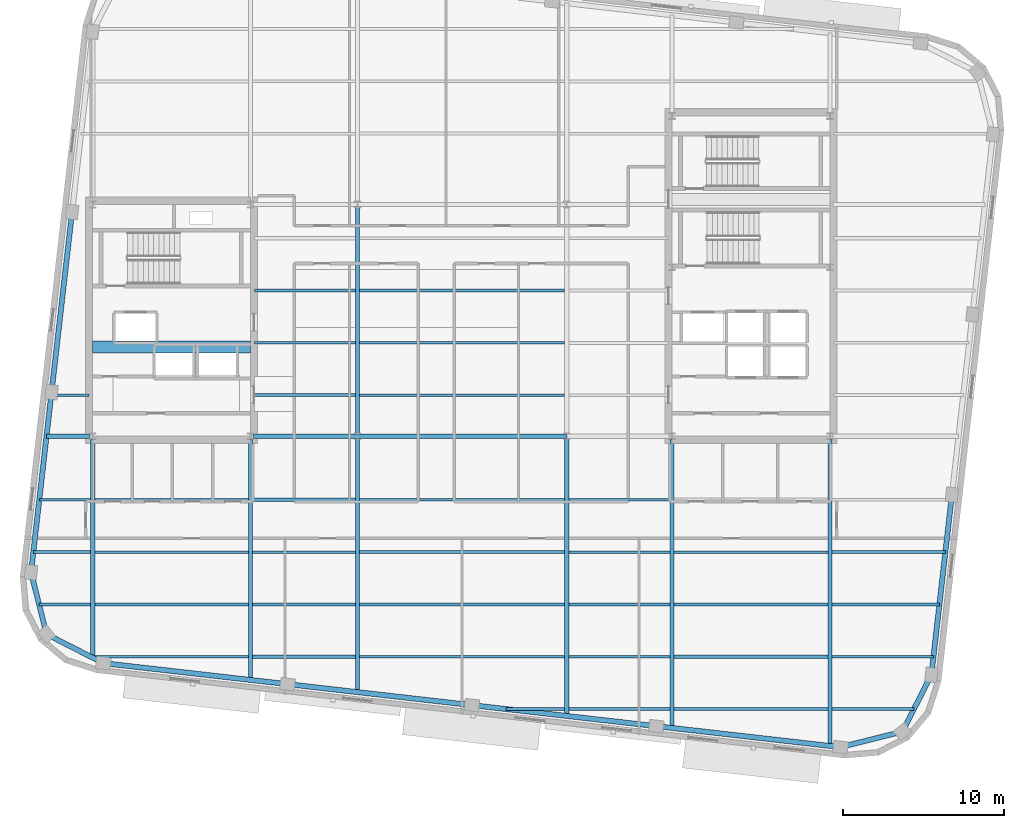
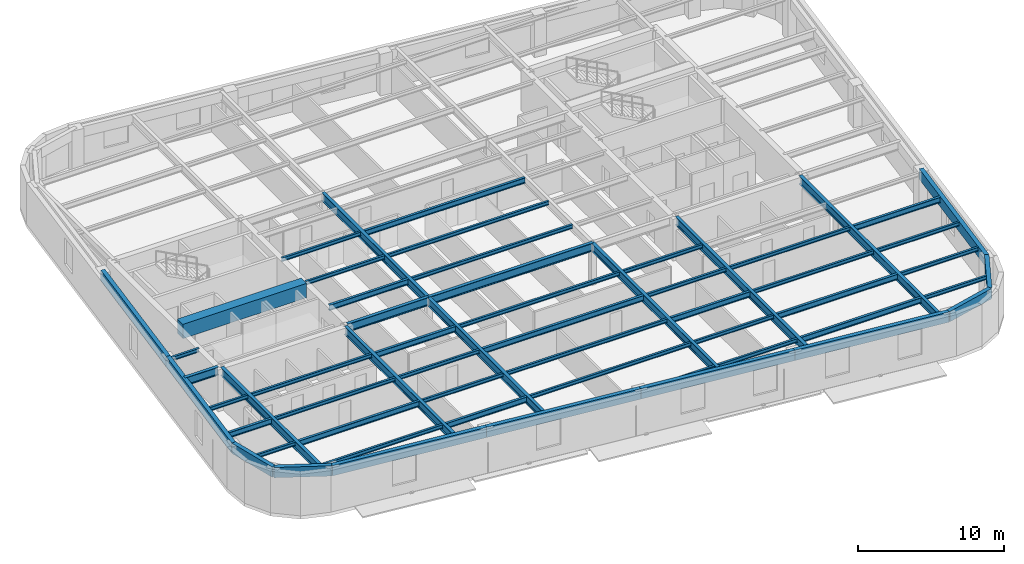
# One storey, part 3 of 13: 58 beams.
"""IFC4 building model written with IfcOpenShell, lengths in metres."""

import ifcopenshell
import ifcopenshell.guid

model = None  # the IFC model being written
_history = None  # IfcOwnerHistory: only IFC2X3 demands one
_inside = {}  # id of a spatial element -> (the spatial element, [elements in it])
_under = {}  # id of a project, library or spatial element -> (it, [spatial elements below it])
_declared = {}  # id of a project -> (the project, [libraries it declares])
_typed = {}  # id of a type object -> (the type object, [elements of that type])
_made_of = {}  # id of a material, layer set ... -> (it, [elements and type objects made of it])


def new_model(schema):
    """Start an empty IFC model of exactly this schema.

    Asked for "IFC4X3", IfcOpenShell would pick the latest addendum, in which some entities
    have other attributes; the version numbers below select the first issue.
    IFC2X3 requires an IfcOwnerHistory on every rooted entity: one is made here for all.
    """
    global model, _history
    if schema == "IFC4X3":
        model = ifcopenshell.file(schema_version=(4, 3, 0, 0))
    else:
        model = ifcopenshell.file(schema=schema)
    _inside.clear()
    _under.clear()
    _declared.clear()
    _typed.clear()
    _made_of.clear()
    _history = None
    if model.schema == "IFC2X3":
        org = make("IfcOrganization", Name="unknown")
        user = make(
            "IfcPersonAndOrganization",
            ThePerson=make("IfcPerson", FamilyName="unknown"),
            TheOrganization=org,
        )
        app = make(
            "IfcApplication",
            ApplicationDeveloper=org,
            Version="unknown",
            ApplicationFullName="unknown",
            ApplicationIdentifier="unknown",
        )
        _history = make(
            "IfcOwnerHistory",
            OwningUser=user,
            OwningApplication=app,
            ChangeAction="ADDED",
            CreationDate=0,
        )
    return model


def make(cls, **values):
    """One entity of the class cls with the attributes given. An attribute that is None is left unset."""
    return model.create_entity(
        cls, **{name: value for name, value in values.items() if value is not None}
    )


def rooted(cls, **values):
    """An entity with a GlobalId (a new one), such as an element, a storey or a relation."""
    return make(cls, GlobalId=ifcopenshell.guid.new(), OwnerHistory=_history, **values)


def si_unit(unit_type, name, prefix=None):
    """IfcSIUnit, for example si_unit("LENGTHUNIT", "METRE", prefix="MILLI")."""
    return make("IfcSIUnit", UnitType=unit_type, Prefix=prefix, Name=name)


def assignment(units):
    """IfcUnitAssignment: the units of a project."""
    return None if units is None else make("IfcUnitAssignment", Units=units)


def point(xyz):
    """IfcCartesianPoint."""
    return None if xyz is None else make("IfcCartesianPoint", Coordinates=xyz)


def direction(xyz):
    """IfcDirection."""
    return None if xyz is None else make("IfcDirection", DirectionRatios=xyz)


def frame(location, z_axis=None, x_axis=None):
    """IfcAxis2Placement3D, a coordinate frame: its origin and axes. An axis left out is left unset."""
    return make(
        "IfcAxis2Placement3D",
        Location=point(location),
        Axis=direction(z_axis),
        RefDirection=direction(x_axis),
    )


def frame_2d(location, x_axis=None):
    """IfcAxis2Placement2D, a coordinate frame in the plane: its origin and x axis."""
    return make(
        "IfcAxis2Placement2D", Location=point(location), RefDirection=direction(x_axis)
    )


def origin():
    """The frame at (0, 0, 0) with its axes left unset."""
    return frame((0.0, 0.0, 0.0))


def origin_2d():
    """The frame at (0, 0) in the plane with its x axis left unset."""
    return frame_2d((0.0, 0.0))


def place(relative_to, where):
    """IfcLocalPlacement: puts the frame where relative to a parent placement (None: the world)."""
    return make(
        "IfcLocalPlacement", PlacementRelTo=relative_to, RelativePlacement=where
    )


def context(
    kind, dimensions, precision=None, world=None, true_north=None, identifier=None
):
    """IfcGeometricRepresentationContext, for example the 3D "Model" context."""
    return make(
        "IfcGeometricRepresentationContext",
        ContextIdentifier=identifier,
        ContextType=kind,
        CoordinateSpaceDimension=dimensions,
        Precision=precision,
        WorldCoordinateSystem=world,
        TrueNorth=true_north,
    )


def subcontext(parent, identifier, kind, view, scale=None):
    """IfcGeometricRepresentationSubContext, for example "Body" below "Model"."""
    return make(
        "IfcGeometricRepresentationSubContext",
        ContextIdentifier=identifier,
        ContextType=kind,
        ParentContext=parent,
        TargetScale=scale,
        TargetView=view,
    )


def project(units=None, contexts=None):
    """IfcProject with its units and contexts."""
    return rooted(
        "IfcProject",
        Name="project",
        RepresentationContexts=contexts,
        UnitsInContext=assignment(units),
    )


def spatial(cls, under=None, at=None, **own):
    """A site, building, storey or space (cls), placed at a placement, below another one or the project."""
    s = rooted(cls, ObjectPlacement=at, **own)
    if under is not None:
        _under.setdefault(under.id(), (under, []))[1].append(s)
    return s


def profile(cls, at=None, kind="AREA", **sizes):
    """A parametric profile (cls). Its sizes go by their IFC names, for example OverallWidth=200.0."""
    return make(cls, ProfileType=kind, Position=at, **sizes)


def rectangle(**sizes):
    """IfcRectangleProfileDef."""
    return profile("IfcRectangleProfileDef", **sizes)


def hollow_rectangle(**sizes):
    """IfcRectangleHollowProfileDef."""
    return profile("IfcRectangleHollowProfileDef", **sizes)


def i_section(**sizes):
    """IfcIShapeProfileDef."""
    return profile("IfcIShapeProfileDef", **sizes)


def extrude(swept, where, along, depth):
    """IfcExtrudedAreaSolid: the profile swept, set in the frame where, extruded along a direction by depth."""
    return make(
        "IfcExtrudedAreaSolid",
        SweptArea=swept,
        Position=where,
        ExtrudedDirection=direction(along),
        Depth=depth,
    )


def shape(context_of_items, identifier, shape_type, items):
    """IfcShapeRepresentation: the items that make up one representation, for example the "Body"."""
    return make(
        "IfcShapeRepresentation",
        ContextOfItems=context_of_items,
        RepresentationIdentifier=identifier,
        RepresentationType=shape_type,
        Items=items,
    )


def material(Name=None, Category=None):
    """IfcMaterial."""
    return make("IfcMaterial", Name=Name, Category=Category)


def material_profile(
    of_material, cross_section, Name=None, Category=None, Priority=None
):
    """IfcMaterialProfile: a cross section and its material."""
    return make(
        "IfcMaterialProfile",
        Name=Name,
        Material=of_material,
        Profile=cross_section,
        Priority=Priority,
        Category=Category,
    )


def profile_set(profiles, Name=None, composite=None):
    """IfcMaterialProfileSet."""
    return make(
        "IfcMaterialProfileSet",
        Name=Name,
        MaterialProfiles=profiles,
        CompositeProfile=composite,
    )


def made_of(thing, what):
    """Note that an element or type object is made of a material, layer set ...; save() writes the relation."""
    if what is not None:
        _made_of.setdefault(what.id(), (what, []))[1].append(thing)
    return thing


def type_object(cls, material=None, **own):
    """A type object (cls), such as IfcWallType, which elements share."""
    return made_of(rooted(cls, **own), material)


def element(
    cls,
    number,
    at=None,
    inside=None,
    cuts=None,
    type_object=None,
    material=None,
    context=None,
    identifier="Body",
    shape_type=None,
    held_by="IfcProductDefinitionShape",
    body=None,
    shapes=None,
    **own,
):
    """One element of the class cls, such as IfcWall. Its Tag is "e" and its number.

    at: its placement. inside: the storey or other place that contains it. cuts: it is an
    opening in that element (IfcRelVoidsElement). A single representation is given by context,
    identifier, shape_type and body (its items); several are given by shapes. held_by: the class
    of the entity that holds the representations. save() writes the other relations.
    """
    e = rooted(cls, Tag="e%d" % number, ObjectPlacement=at, **own)
    if body is not None:
        shapes = [shape(context, identifier, shape_type, body)]
    if shapes is not None:
        e.Representation = make(held_by, Representations=shapes)
    if inside is not None:
        _inside.setdefault(inside.id(), (inside, []))[1].append(e)
    if cuts is not None:
        rooted(
            "IfcRelVoidsElement", RelatingBuildingElement=cuts, RelatedOpeningElement=e
        )
    if type_object is not None:
        _typed.setdefault(type_object.id(), (type_object, []))[1].append(e)
    return made_of(e, material)


def aggregate(whole, parts):
    """IfcRelAggregates: a whole, such as a stair, and the parts it consists of."""
    return rooted("IfcRelAggregates", RelatingObject=whole, RelatedObjects=parts)


def save(model, path):
    """Write the relations noted so far, then the file.

    IfcRelAggregates (storeys below a building ...), IfcRelContainedInSpatialStructure (elements
    in a storey), IfcRelDefinesByType, IfcRelAssociatesMaterial and IfcRelDeclares: one each for
    every whole, place, type object, material and project.
    """
    for whole, parts in _under.values():
        aggregate(whole, parts)
    for where, things in _inside.values():
        rooted(
            "IfcRelContainedInSpatialStructure",
            RelatedElements=things,
            RelatingStructure=where,
        )
    for kind, things in _typed.values():
        rooted("IfcRelDefinesByType", RelatedObjects=things, RelatingType=kind)
    for what, things in _made_of.values():
        rooted("IfcRelAssociatesMaterial", RelatedObjects=things, RelatingMaterial=what)
    for by, libraries in _declared.values():
        rooted("IfcRelDeclares", RelatingContext=by, RelatedDefinitions=libraries)
    model.write(path)


model = new_model("IFC4")

# Units and contexts
model_context = context("Model", 3, precision=1e-05, world=origin(), true_north=direction((0.0, 1.0)))
body_context = subcontext(model_context, "Body", "Model", "MODEL_VIEW")
ifc_project = project(units=[si_unit("LENGTHUNIT", "METRE"), si_unit("AREAUNIT", "SQUARE_METRE"), si_unit("VOLUMEUNIT", "CUBIC_METRE"), si_unit("PLANEANGLEUNIT", "RADIAN"), si_unit("MASSUNIT", "GRAM", prefix="KILO")], contexts=[model_context])

# Site, building, storey
site_placement = place(None, origin())
site = spatial("IfcSite", under=ifc_project, at=site_placement, CompositionType="ELEMENT")
building_placement = place(site_placement, origin())
building = spatial("IfcBuilding", under=site, at=building_placement, Name="Kolvaren Arena Tower", CompositionType="ELEMENT")
storey_placement = place(building_placement, frame((0.0, 0.0, 228.449951171875)))
storey = spatial("IfcBuildingStorey", under=building, at=storey_placement, Name="L55", CompositionType="ELEMENT", Elevation=228.449951171875)

# Beams
ifc_material_1 = material(Name="Steel CSA G40.21 350W", Category="steel")
ifc_material_profile_1 = material_profile(ifc_material_1, i_section(OverallWidth=0.193115234375, OverallDepth=0.462890625, WebThickness=0.0107421875, FlangeThickness=0.0205078125, FilletRadius=0.012939453125, at=origin_2d()), Name="W460x113")
ifc_profile_set_1 = profile_set([ifc_material_profile_1], Name="Steel CSA G40.21 350W")
beam_type_1 = type_object("IfcBeamType", Name="BEAM-F2", PredefinedType="BEAM", material=ifc_profile_set_1)
beam_1_placement = place(storey_placement, frame((50.677490234375, 2.5, 3.24853515625), z_axis=(1.0, 0.0, 0.0), x_axis=(0.0, 1.0, 0.0)))
element("IfcBeam", 1, at=beam_1_placement, inside=storey, type_object=beam_type_1, Name="Composite Floor Beam (L55)", PredefinedType="BEAM", context=body_context, shape_type="SweptSolid", body=[
    extrude(i_section(OverallWidth=0.193115234375, OverallDepth=0.462890625, WebThickness=0.0107421875, FlangeThickness=0.0205078125, FilletRadius=0.012939453125, at=origin_2d()), origin(), (0.0, 0.0, 1.0), 9.544921875),
])
beam_2_placement = place(storey_placement, frame((24.4775390625, 5.75, 3.24853515625), z_axis=(1.0, 0.0, 0.0), x_axis=(0.0, 1.0, 0.0)))
element("IfcBeam", 2, at=beam_2_placement, inside=storey, type_object=beam_type_1, Name="Composite Floor Beam (L55)", PredefinedType="BEAM", context=body_context, shape_type="SweptSolid", body=[
    extrude(i_section(OverallWidth=0.193115234375, OverallDepth=0.462890625, WebThickness=0.0107421875, FlangeThickness=0.0205078125, FilletRadius=0.012939453125, at=origin_2d()), origin(), (0.0, 0.0, 1.0), 6.39501953125),
])
for number, where, z_axis, x_axis, name in (
    (3, (50.677490234375, 5.75, 3.24853515625), (1.0, 0.0, 0.0), (0.0, 1.0, 0.0), "Composite Floor Beam (L55)"),
    (4, (14.677490234375, 9.0, 3.24853515625), (1.0, 0.0, 0.0), (0.0, 1.0, 0.0), "Composite Floor Beam (L55)"),
):
    element("IfcBeam", number, at=place(storey_placement, frame(where, z_axis=z_axis, x_axis=x_axis)), inside=storey, type_object=beam_type_1, Name=name, PredefinedType="BEAM", context=body_context, shape_type="SweptSolid", body=[
        extrude(i_section(OverallWidth=0.193115234375, OverallDepth=0.462890625, WebThickness=0.0107421875, FlangeThickness=0.0205078125, FilletRadius=0.012939453125, at=origin_2d()), origin(), (0.0, 0.0, 1.0), 9.544921875),
    ])
beam_3_placement = place(storey_placement, frame((44.12744140625, 9.0, 3.24853515625), z_axis=(1.0, 0.0, 0.0), x_axis=(0.0, 1.0, 0.0)))
element("IfcBeam", 5, at=beam_3_placement, inside=storey, type_object=beam_type_1, Name="Composite Floor Beam (L55)", PredefinedType="BEAM", context=body_context, shape_type="SweptSolid", body=[
    extrude(i_section(OverallWidth=0.193115234375, OverallDepth=0.462890625, WebThickness=0.0107421875, FlangeThickness=0.0205078125, FilletRadius=0.012939453125, at=origin_2d()), origin(), (0.0, 0.0, 1.0), 6.295166015625),
])
beam_4_placement = place(storey_placement, frame((10.86083984375, 12.25, 3.24853515625), z_axis=(1.0, 0.0, 0.0), x_axis=(0.0, 1.0, 0.0)))
element("IfcBeam", 6, at=beam_4_placement, inside=storey, type_object=beam_type_1, Name="Composite Floor Beam (L55)", PredefinedType="BEAM", context=body_context, shape_type="SweptSolid", body=[
    extrude(i_section(OverallWidth=0.193115234375, OverallDepth=0.462890625, WebThickness=0.0107421875, FlangeThickness=0.0205078125, FilletRadius=0.012939453125, at=origin_2d()), origin(), (0.0, 0.0, 1.0), 3.561767578125),
])
beam_5_placement = place(storey_placement, frame((31.12744140625, 12.25, 3.24853515625), z_axis=(1.0, 0.0, 0.0), x_axis=(0.0, 1.0, 0.0)))
element("IfcBeam", 7, at=beam_5_placement, inside=storey, type_object=beam_type_1, Name="Composite Floor Beam (L55)", PredefinedType="BEAM", context=body_context, shape_type="SweptSolid", body=[
    extrude(i_section(OverallWidth=0.193115234375, OverallDepth=0.462890625, WebThickness=0.0107421875, FlangeThickness=0.0205078125, FilletRadius=0.012939453125, at=origin_2d()), origin(), (0.0, 0.0, 1.0), 12.7451171875),
])
beam_6_placement = place(storey_placement, frame((60.4775390625, 12.25, 3.24853515625), z_axis=(1.0, 0.0, 0.0), x_axis=(0.0, 1.0, 0.0)))
element("IfcBeam", 8, at=beam_6_placement, inside=storey, type_object=beam_type_1, Name="Composite Floor Beam (L55)", PredefinedType="BEAM", context=body_context, shape_type="SweptSolid", body=[
    extrude(i_section(OverallWidth=0.193115234375, OverallDepth=0.462890625, WebThickness=0.0107421875, FlangeThickness=0.0205078125, FilletRadius=0.012939453125, at=origin_2d()), origin(), (0.0, 0.0, 1.0), 7.04736328125),
])
beam_7_placement = place(storey_placement, frame((24.4775390625, 15.5, 3.24853515625), z_axis=(1.0, 0.0, 0.0), x_axis=(0.0, 1.0, 0.0)))
element("IfcBeam", 9, at=beam_7_placement, inside=storey, type_object=beam_type_1, Name="Composite Floor Beam (L55)", PredefinedType="BEAM", context=body_context, shape_type="SweptSolid", body=[
    extrude(i_section(OverallWidth=0.193115234375, OverallDepth=0.462890625, WebThickness=0.0107421875, FlangeThickness=0.0205078125, FilletRadius=0.012939453125, at=origin_2d()), origin(), (0.0, 0.0, 1.0), 6.39501953125),
])
beam_8_placement = place(storey_placement, frame((24.594970703125, 22.0, 3.24853515625), z_axis=(1.0, 0.0, 0.0), x_axis=(0.0, 1.0, 0.0)))
element("IfcBeam", 10, at=beam_8_placement, inside=storey, type_object=beam_type_1, Name="Composite Floor Beam (L55)", PredefinedType="BEAM", context=body_context, shape_type="SweptSolid", body=[
    extrude(i_section(OverallWidth=0.193115234375, OverallDepth=0.462890625, WebThickness=0.0107421875, FlangeThickness=0.0205078125, FilletRadius=0.012939453125, at=origin_2d()), origin(), (0.0, 0.0, 1.0), 6.277587890625),
])
beam_9_placement = place(storey_placement, frame((31.12744140625, 28.5, 3.24853515625), z_axis=(1.0, 0.0, 0.0), x_axis=(0.0, 1.0, 0.0)))
element("IfcBeam", 11, at=beam_9_placement, inside=storey, type_object=beam_type_1, Name="Composite Floor Beam (L55)", PredefinedType="BEAM", context=body_context, shape_type="SweptSolid", body=[
    extrude(i_section(OverallWidth=0.193115234375, OverallDepth=0.462890625, WebThickness=0.0107421875, FlangeThickness=0.0205078125, FilletRadius=0.012939453125, at=origin_2d()), origin(), (0.0, 0.0, 1.0), 12.7451171875),
])
ifc_material_2 = material(Name="Concrete 60 MPa", Category="concrete")
ifc_material_profile_2 = material_profile(ifc_material_2, rectangle(XDim=0.75, YDim=1.199951171875, at=origin_2d()), Name="RC-750x1200")
ifc_profile_set_2 = profile_set([ifc_material_profile_2], Name="Concrete 60 MPa")
beam_type_2 = type_object("IfcBeamType", Name="CB-CORE-2", PredefinedType="BEAM", material=ifc_profile_set_2)
beam_10_placement = place(storey_placement, frame((14.550048828125, 25.0, 3.150146484375), z_axis=(1.0, 0.0, 0.0), x_axis=(0.0, 1.0, 0.0)))
element("IfcBeam", 12, at=beam_10_placement, inside=storey, type_object=beam_type_2, Name="West Core Coupling Beam (L55)", PredefinedType="BEAM", context=body_context, shape_type="SweptSolid", body=[
    extrude(rectangle(XDim=0.75, YDim=1.199951171875, at=origin_2d()), origin(), (0.0, 0.0, 1.0), 9.800048828125),
])
ifc_material_profile_3 = material_profile(ifc_material_1, i_section(OverallWidth=0.2548828125, OverallDepth=0.695068359375, WebThickness=0.01708984375, FlangeThickness=0.02978515625, FilletRadius=0.01611328125, at=origin_2d()), Name="W690x217")
ifc_profile_set_3 = profile_set([ifc_material_profile_3], Name="Steel CSA G40.21 350W")
beam_type_3 = type_object("IfcBeamType", Name="GIRD-T2", PredefinedType="BEAM", material=ifc_profile_set_3)
beam_11_placement = place(storey_placement, frame((11.68115234375, 19.449951171875, 3.132568359375), z_axis=(1.0, 0.0, 0.0), x_axis=(0.0, 1.0, 0.0)))
element("IfcBeam", 13, at=beam_11_placement, inside=storey, type_object=beam_type_3, Name="Primary Floor Girder (L55)", PredefinedType="BEAM", context=body_context, shape_type="SweptSolid", body=[
    extrude(i_section(OverallWidth=0.2548828125, OverallDepth=0.695068359375, WebThickness=0.01708984375, FlangeThickness=0.02978515625, FilletRadius=0.01611328125, at=origin_2d()), origin(), (0.0, 0.0, 1.0), 2.663818359375),
])
beam_12_placement = place(storey_placement, frame((24.554931640625, 19.449951171875, 3.132568359375), z_axis=(1.0, 0.0, 0.0), x_axis=(0.0, 1.0, 0.0)))
element("IfcBeam", 14, at=beam_12_placement, inside=storey, type_object=beam_type_3, Name="Primary Floor Girder (L55)", PredefinedType="BEAM", context=body_context, shape_type="SweptSolid", body=[
    extrude(i_section(OverallWidth=0.2548828125, OverallDepth=0.695068359375, WebThickness=0.01708984375, FlangeThickness=0.02978515625, FilletRadius=0.01611328125, at=origin_2d()), origin(), (0.0, 0.0, 1.0), 6.445068359375),
])
beam_13_placement = place(storey_placement, frame((31.0, 19.449951171875, 3.132568359375), z_axis=(1.0, 0.0, 0.0), x_axis=(0.0, 1.0, 0.0)))
element("IfcBeam", 15, at=beam_13_placement, inside=storey, type_object=beam_type_3, Name="Primary Floor Girder (L55)", PredefinedType="BEAM", context=body_context, shape_type="SweptSolid", body=[
    extrude(i_section(OverallWidth=0.2548828125, OverallDepth=0.695068359375, WebThickness=0.01708984375, FlangeThickness=0.02978515625, FilletRadius=0.01611328125, at=origin_2d()), origin(), (0.0, 0.0, 1.0), 13.0),
])
beam_14_placement = place(storey_placement, frame((14.550048828125, 5.686767578125, 3.132568359375), z_axis=(0.0, 1.0, 0.0), x_axis=(-1.0, 0.0, 0.0)))
element("IfcBeam", 16, at=beam_14_placement, inside=storey, type_object=beam_type_3, Name="Primary Floor Girder (L55)", PredefinedType="BEAM", context=body_context, shape_type="SweptSolid", body=[
    extrude(i_section(OverallWidth=0.2548828125, OverallDepth=0.695068359375, WebThickness=0.01708984375, FlangeThickness=0.02978515625, FilletRadius=0.01611328125, at=origin_2d()), origin(), (0.0, 0.0, 1.0), 13.558349609375),
])
beam_15_placement = place(storey_placement, frame((24.35009765625, 4.30908203125, 3.132568359375), z_axis=(0.0, 1.0, 0.0), x_axis=(-1.0, 0.0, 0.0)))
element("IfcBeam", 17, at=beam_15_placement, inside=storey, type_object=beam_type_3, Name="Primary Floor Girder (L55)", PredefinedType="BEAM", context=body_context, shape_type="SweptSolid", body=[
    extrude(i_section(OverallWidth=0.2548828125, OverallDepth=0.695068359375, WebThickness=0.01708984375, FlangeThickness=0.02978515625, FilletRadius=0.01611328125, at=origin_2d()), origin(), (0.0, 0.0, 1.0), 14.93603515625),
])
beam_16_placement = place(storey_placement, frame((31.0, 3.551513671875, 3.132568359375), z_axis=(0.0, 1.0, 0.0), x_axis=(-1.0, 0.0, 0.0)))
element("IfcBeam", 18, at=beam_16_placement, inside=storey, type_object=beam_type_3, Name="Primary Floor Girder (L55)", PredefinedType="BEAM", context=body_context, shape_type="SweptSolid", body=[
    extrude(i_section(OverallWidth=0.2548828125, OverallDepth=0.695068359375, WebThickness=0.01708984375, FlangeThickness=0.02978515625, FilletRadius=0.01611328125, at=origin_2d()), origin(), (0.0, 0.0, 1.0), 15.8984375),
])
beam_17_placement = place(storey_placement, frame((31.0, 19.449951171875, 3.132568359375), z_axis=(0.0, 1.0, 0.0), x_axis=(-1.0, 0.0, 0.0)))
element("IfcBeam", 19, at=beam_17_placement, inside=storey, type_object=beam_type_3, Name="Primary Floor Girder (L55)", PredefinedType="BEAM", context=body_context, shape_type="SweptSolid", body=[
    extrude(i_section(OverallWidth=0.2548828125, OverallDepth=0.695068359375, WebThickness=0.01708984375, FlangeThickness=0.02978515625, FilletRadius=0.01611328125, at=origin_2d()), origin(), (0.0, 0.0, 1.0), 14.400146484375),
])
beam_18_placement = place(storey_placement, frame((44.0, 2.0703125, 3.132568359375), z_axis=(0.0, 1.0, 0.0), x_axis=(-1.0, 0.0, 0.0)))
element("IfcBeam", 20, at=beam_18_placement, inside=storey, type_object=beam_type_3, Name="Primary Floor Girder (L55)", PredefinedType="BEAM", context=body_context, shape_type="SweptSolid", body=[
    extrude(i_section(OverallWidth=0.2548828125, OverallDepth=0.695068359375, WebThickness=0.01708984375, FlangeThickness=0.02978515625, FilletRadius=0.01611328125, at=origin_2d()), origin(), (0.0, 0.0, 1.0), 17.379638671875),
])
beam_19_placement = place(storey_placement, frame((50.550048828125, 1.323974609375, 3.132568359375), z_axis=(0.0, 1.0, 0.0), x_axis=(-1.0, 0.0, 0.0)))
element("IfcBeam", 21, at=beam_19_placement, inside=storey, type_object=beam_type_3, Name="Primary Floor Girder (L55)", PredefinedType="BEAM", context=body_context, shape_type="SweptSolid", body=[
    extrude(i_section(OverallWidth=0.2548828125, OverallDepth=0.695068359375, WebThickness=0.01708984375, FlangeThickness=0.02978515625, FilletRadius=0.01611328125, at=origin_2d()), origin(), (0.0, 0.0, 1.0), 17.921142578125),
])
beam_20_placement = place(storey_placement, frame((60.35009765625, 0.20751953125, 3.132568359375), z_axis=(0.0, 1.0, 0.0), x_axis=(-1.0, 0.0, 0.0)))
element("IfcBeam", 22, at=beam_20_placement, inside=storey, type_object=beam_type_3, Name="Primary Floor Girder (L55)", PredefinedType="BEAM", context=body_context, shape_type="SweptSolid", body=[
    extrude(i_section(OverallWidth=0.2548828125, OverallDepth=0.695068359375, WebThickness=0.01708984375, FlangeThickness=0.02978515625, FilletRadius=0.01611328125, at=origin_2d()), origin(), (0.0, 0.0, 1.0), 19.03759765625),
])
ifc_material_profile_4 = material_profile(ifc_material_1, i_section(OverallWidth=0.1669921875, OverallDepth=0.31689453125, WebThickness=0.007568359375, FlangeThickness=0.01318359375, FilletRadius=0.010009765625, at=origin_2d()), Name="W310x52")
ifc_profile_set_4 = profile_set([ifc_material_profile_4], Name="Steel CSA G40.21 350W")
beam_type_4 = type_object("IfcBeamType", Name="JOIST-02", PredefinedType="JOIST", material=ifc_profile_set_4)
beam_21_placement = place(storey_placement, frame((40.228271484375, 2.5, 3.321533203125), z_axis=(1.0, 0.0, 0.0), x_axis=(0.0, 1.0, 0.0)))
element("IfcBeam", 23, at=beam_21_placement, inside=storey, type_object=beam_type_4, Name="Composite Floor Joist (L55)", PredefinedType="JOIST", context=body_context, shape_type="SweptSolid", body=[
    extrude(i_section(OverallWidth=0.1669921875, OverallDepth=0.31689453125, WebThickness=0.007568359375, FlangeThickness=0.01318359375, FilletRadius=0.010009765625, at=origin_2d()), origin(), (0.0, 0.0, 1.0), 3.644287109375),
])
beam_22_placement = place(storey_placement, frame((44.12744140625, 2.5, 3.321533203125), z_axis=(1.0, 0.0, 0.0), x_axis=(0.0, 1.0, 0.0)))
element("IfcBeam", 24, at=beam_22_placement, inside=storey, type_object=beam_type_4, Name="Composite Floor Joist (L55)", PredefinedType="JOIST", context=body_context, shape_type="SweptSolid", body=[
    extrude(i_section(OverallWidth=0.1669921875, OverallDepth=0.31689453125, WebThickness=0.007568359375, FlangeThickness=0.01318359375, FilletRadius=0.010009765625, at=origin_2d()), origin(), (0.0, 0.0, 1.0), 6.295166015625),
])
beam_23_placement = place(storey_placement, frame((60.4775390625, 2.5, 3.321533203125), z_axis=(1.0, 0.0, 0.0), x_axis=(0.0, 1.0, 0.0)))
element("IfcBeam", 25, at=beam_23_placement, inside=storey, type_object=beam_type_4, Name="Composite Floor Joist (L55)", PredefinedType="JOIST", context=body_context, shape_type="SweptSolid", body=[
    extrude(i_section(OverallWidth=0.1669921875, OverallDepth=0.31689453125, WebThickness=0.007568359375, FlangeThickness=0.01318359375, FilletRadius=0.010009765625, at=origin_2d()), origin(), (0.0, 0.0, 1.0), 5.09423828125),
])
beam_24_placement = place(storey_placement, frame((14.42626953125, 5.75, 3.321533203125), z_axis=(1.0, 0.0, 0.0), x_axis=(0.0, 1.0, 0.0)))
element("IfcBeam", 26, at=beam_24_placement, inside=storey, type_object=beam_type_4, Name="Composite Floor Joist (L55)", PredefinedType="JOIST", context=body_context, shape_type="SweptSolid", body=[
    extrude(i_section(OverallWidth=0.1669921875, OverallDepth=0.31689453125, WebThickness=0.007568359375, FlangeThickness=0.01318359375, FilletRadius=0.010009765625, at=origin_2d()), origin(), (0.0, 0.0, 1.0), 9.796142578125),
])
beam_25_placement = place(storey_placement, frame((31.12744140625, 5.75, 3.321533203125), z_axis=(1.0, 0.0, 0.0), x_axis=(0.0, 1.0, 0.0)))
element("IfcBeam", 27, at=beam_25_placement, inside=storey, type_object=beam_type_4, Name="Composite Floor Joist (L55)", PredefinedType="JOIST", context=body_context, shape_type="SweptSolid", body=[
    extrude(i_section(OverallWidth=0.1669921875, OverallDepth=0.31689453125, WebThickness=0.007568359375, FlangeThickness=0.01318359375, FilletRadius=0.010009765625, at=origin_2d()), origin(), (0.0, 0.0, 1.0), 12.7451171875),
])
beam_26_placement = place(storey_placement, frame((44.12744140625, 5.75, 3.321533203125), z_axis=(1.0, 0.0, 0.0), x_axis=(0.0, 1.0, 0.0)))
element("IfcBeam", 28, at=beam_26_placement, inside=storey, type_object=beam_type_4, Name="Composite Floor Joist (L55)", PredefinedType="JOIST", context=body_context, shape_type="SweptSolid", body=[
    extrude(i_section(OverallWidth=0.1669921875, OverallDepth=0.31689453125, WebThickness=0.007568359375, FlangeThickness=0.01318359375, FilletRadius=0.010009765625, at=origin_2d()), origin(), (0.0, 0.0, 1.0), 6.295166015625),
])
beam_27_placement = place(storey_placement, frame((60.4775390625, 5.75, 3.321533203125), z_axis=(1.0, 0.0, 0.0), x_axis=(0.0, 1.0, 0.0)))
element("IfcBeam", 29, at=beam_27_placement, inside=storey, type_object=beam_type_4, Name="Composite Floor Joist (L55)", PredefinedType="JOIST", context=body_context, shape_type="SweptSolid", body=[
    extrude(i_section(OverallWidth=0.1669921875, OverallDepth=0.31689453125, WebThickness=0.007568359375, FlangeThickness=0.01318359375, FilletRadius=0.010009765625, at=origin_2d()), origin(), (0.0, 0.0, 1.0), 6.306884765625),
])
beam_28_placement = place(storey_placement, frame((11.217529296875, 9.0, 3.321533203125), z_axis=(1.0, 0.0, 0.0), x_axis=(0.0, 1.0, 0.0)))
element("IfcBeam", 30, at=beam_28_placement, inside=storey, type_object=beam_type_4, Name="Composite Floor Joist (L55)", PredefinedType="JOIST", context=body_context, shape_type="SweptSolid", body=[
    extrude(i_section(OverallWidth=0.1669921875, OverallDepth=0.31689453125, WebThickness=0.007568359375, FlangeThickness=0.01318359375, FilletRadius=0.010009765625, at=origin_2d()), origin(), (0.0, 0.0, 1.0), 3.205078125),
])
beam_29_placement = place(storey_placement, frame((24.4775390625, 9.0, 3.321533203125), z_axis=(1.0, 0.0, 0.0), x_axis=(0.0, 1.0, 0.0)))
element("IfcBeam", 31, at=beam_29_placement, inside=storey, type_object=beam_type_4, Name="Composite Floor Joist (L55)", PredefinedType="JOIST", context=body_context, shape_type="SweptSolid", body=[
    extrude(i_section(OverallWidth=0.1669921875, OverallDepth=0.31689453125, WebThickness=0.007568359375, FlangeThickness=0.01318359375, FilletRadius=0.010009765625, at=origin_2d()), origin(), (0.0, 0.0, 1.0), 6.39501953125),
])
beam_30_placement = place(storey_placement, frame((31.12744140625, 9.0, 3.321533203125), z_axis=(1.0, 0.0, 0.0), x_axis=(0.0, 1.0, 0.0)))
element("IfcBeam", 32, at=beam_30_placement, inside=storey, type_object=beam_type_4, Name="Composite Floor Joist (L55)", PredefinedType="JOIST", context=body_context, shape_type="SweptSolid", body=[
    extrude(i_section(OverallWidth=0.1669921875, OverallDepth=0.31689453125, WebThickness=0.007568359375, FlangeThickness=0.01318359375, FilletRadius=0.010009765625, at=origin_2d()), origin(), (0.0, 0.0, 1.0), 12.7451171875),
])
beam_31_placement = place(storey_placement, frame((50.677490234375, 9.0, 3.321533203125), z_axis=(1.0, 0.0, 0.0), x_axis=(0.0, 1.0, 0.0)))
element("IfcBeam", 33, at=beam_31_placement, inside=storey, type_object=beam_type_4, Name="Composite Floor Joist (L55)", PredefinedType="JOIST", context=body_context, shape_type="SweptSolid", body=[
    extrude(i_section(OverallWidth=0.1669921875, OverallDepth=0.31689453125, WebThickness=0.007568359375, FlangeThickness=0.01318359375, FilletRadius=0.010009765625, at=origin_2d()), origin(), (0.0, 0.0, 1.0), 9.544921875),
])
beam_32_placement = place(storey_placement, frame((60.4775390625, 9.0, 3.321533203125), z_axis=(1.0, 0.0, 0.0), x_axis=(0.0, 1.0, 0.0)))
element("IfcBeam", 34, at=beam_32_placement, inside=storey, type_object=beam_type_4, Name="Composite Floor Joist (L55)", PredefinedType="JOIST", context=body_context, shape_type="SweptSolid", body=[
    extrude(i_section(OverallWidth=0.1669921875, OverallDepth=0.31689453125, WebThickness=0.007568359375, FlangeThickness=0.01318359375, FilletRadius=0.010009765625, at=origin_2d()), origin(), (0.0, 0.0, 1.0), 6.67724609375),
])
beam_33_placement = place(storey_placement, frame((14.677490234375, 12.25, 3.321533203125), z_axis=(1.0, 0.0, 0.0), x_axis=(0.0, 1.0, 0.0)))
element("IfcBeam", 35, at=beam_33_placement, inside=storey, type_object=beam_type_4, Name="Composite Floor Joist (L55)", PredefinedType="JOIST", context=body_context, shape_type="SweptSolid", body=[
    extrude(i_section(OverallWidth=0.1669921875, OverallDepth=0.31689453125, WebThickness=0.007568359375, FlangeThickness=0.01318359375, FilletRadius=0.010009765625, at=origin_2d()), origin(), (0.0, 0.0, 1.0), 9.544921875),
])
beam_34_placement = place(storey_placement, frame((24.4775390625, 12.25, 3.321533203125), z_axis=(1.0, 0.0, 0.0), x_axis=(0.0, 1.0, 0.0)))
element("IfcBeam", 36, at=beam_34_placement, inside=storey, type_object=beam_type_4, Name="Composite Floor Joist (L55)", PredefinedType="JOIST", context=body_context, shape_type="SweptSolid", body=[
    extrude(i_section(OverallWidth=0.1669921875, OverallDepth=0.31689453125, WebThickness=0.007568359375, FlangeThickness=0.01318359375, FilletRadius=0.010009765625, at=origin_2d()), origin(), (0.0, 0.0, 1.0), 6.39501953125),
])
beam_35_placement = place(storey_placement, frame((44.12744140625, 12.25, 3.321533203125), z_axis=(1.0, 0.0, 0.0), x_axis=(0.0, 1.0, 0.0)))
element("IfcBeam", 37, at=beam_35_placement, inside=storey, type_object=beam_type_4, Name="Composite Floor Joist (L55)", PredefinedType="JOIST", context=body_context, shape_type="SweptSolid", body=[
    extrude(i_section(OverallWidth=0.1669921875, OverallDepth=0.31689453125, WebThickness=0.007568359375, FlangeThickness=0.01318359375, FilletRadius=0.010009765625, at=origin_2d()), origin(), (0.0, 0.0, 1.0), 6.295166015625),
])
beam_36_placement = place(storey_placement, frame((50.677490234375, 12.25, 3.321533203125), z_axis=(1.0, 0.0, 0.0), x_axis=(0.0, 1.0, 0.0)))
element("IfcBeam", 38, at=beam_36_placement, inside=storey, type_object=beam_type_4, Name="Composite Floor Joist (L55)", PredefinedType="JOIST", context=body_context, shape_type="SweptSolid", body=[
    extrude(i_section(OverallWidth=0.1669921875, OverallDepth=0.31689453125, WebThickness=0.007568359375, FlangeThickness=0.01318359375, FilletRadius=0.010009765625, at=origin_2d()), origin(), (0.0, 0.0, 1.0), 9.544921875),
])
beam_37_placement = place(storey_placement, frame((11.23095703125, 15.5, 3.321533203125), z_axis=(1.0, 0.0, 0.0), x_axis=(0.0, 1.0, 0.0)))
element("IfcBeam", 39, at=beam_37_placement, inside=storey, type_object=beam_type_4, Name="Composite Floor Joist (L55)", PredefinedType="JOIST", context=body_context, shape_type="SweptSolid", body=[
    extrude(i_section(OverallWidth=0.1669921875, OverallDepth=0.31689453125, WebThickness=0.007568359375, FlangeThickness=0.01318359375, FilletRadius=0.010009765625, at=origin_2d()), origin(), (0.0, 0.0, 1.0), 3.191650390625),
])
beam_38_placement = place(storey_placement, frame((14.677490234375, 15.5, 3.321533203125), z_axis=(1.0, 0.0, 0.0), x_axis=(0.0, 1.0, 0.0)))
element("IfcBeam", 40, at=beam_38_placement, inside=storey, type_object=beam_type_4, Name="Composite Floor Joist (L55)", PredefinedType="JOIST", context=body_context, shape_type="SweptSolid", body=[
    extrude(i_section(OverallWidth=0.1669921875, OverallDepth=0.31689453125, WebThickness=0.007568359375, FlangeThickness=0.01318359375, FilletRadius=0.010009765625, at=origin_2d()), origin(), (0.0, 0.0, 1.0), 9.544921875),
])
beam_39_placement = place(storey_placement, frame((31.12744140625, 15.5, 3.321533203125), z_axis=(1.0, 0.0, 0.0), x_axis=(0.0, 1.0, 0.0)))
element("IfcBeam", 41, at=beam_39_placement, inside=storey, type_object=beam_type_4, Name="Composite Floor Joist (L55)", PredefinedType="JOIST", context=body_context, shape_type="SweptSolid", body=[
    extrude(i_section(OverallWidth=0.1669921875, OverallDepth=0.31689453125, WebThickness=0.007568359375, FlangeThickness=0.01318359375, FilletRadius=0.010009765625, at=origin_2d()), origin(), (0.0, 0.0, 1.0), 12.7451171875),
])
beam_40_placement = place(storey_placement, frame((44.12744140625, 15.5, 3.321533203125), z_axis=(1.0, 0.0, 0.0), x_axis=(0.0, 1.0, 0.0)))
element("IfcBeam", 42, at=beam_40_placement, inside=storey, type_object=beam_type_4, Name="Composite Floor Joist (L55)", PredefinedType="JOIST", context=body_context, shape_type="SweptSolid", body=[
    extrude(i_section(OverallWidth=0.1669921875, OverallDepth=0.31689453125, WebThickness=0.007568359375, FlangeThickness=0.01318359375, FilletRadius=0.010009765625, at=origin_2d()), origin(), (0.0, 0.0, 1.0), 6.295166015625),
])
beam_41_placement = place(storey_placement, frame((11.9716796875, 22.0, 3.321533203125), z_axis=(1.0, 0.0, 0.0), x_axis=(0.0, 1.0, 0.0)))
element("IfcBeam", 43, at=beam_41_placement, inside=storey, type_object=beam_type_4, Name="Composite Floor Joist (L55)", PredefinedType="JOIST", context=body_context, shape_type="SweptSolid", body=[
    extrude(i_section(OverallWidth=0.1669921875, OverallDepth=0.31689453125, WebThickness=0.007568359375, FlangeThickness=0.01318359375, FilletRadius=0.010009765625, at=origin_2d()), origin(), (0.0, 0.0, 1.0), 2.333251953125),
])
beam_42_placement = place(storey_placement, frame((31.12744140625, 22.0, 3.321533203125), z_axis=(1.0, 0.0, 0.0), x_axis=(0.0, 1.0, 0.0)))
element("IfcBeam", 44, at=beam_42_placement, inside=storey, type_object=beam_type_4, Name="Composite Floor Joist (L55)", PredefinedType="JOIST", context=body_context, shape_type="SweptSolid", body=[
    extrude(i_section(OverallWidth=0.1669921875, OverallDepth=0.31689453125, WebThickness=0.007568359375, FlangeThickness=0.01318359375, FilletRadius=0.010009765625, at=origin_2d()), origin(), (0.0, 0.0, 1.0), 12.7451171875),
])
beam_43_placement = place(storey_placement, frame((24.594970703125, 25.25, 3.321533203125), z_axis=(1.0, 0.0, 0.0), x_axis=(0.0, 1.0, 0.0)))
element("IfcBeam", 45, at=beam_43_placement, inside=storey, type_object=beam_type_4, Name="Composite Floor Joist (L55)", PredefinedType="JOIST", context=body_context, shape_type="SweptSolid", body=[
    extrude(i_section(OverallWidth=0.1669921875, OverallDepth=0.31689453125, WebThickness=0.007568359375, FlangeThickness=0.01318359375, FilletRadius=0.010009765625, at=origin_2d()), origin(), (0.0, 0.0, 1.0), 6.277587890625),
])
beam_44_placement = place(storey_placement, frame((31.12744140625, 25.25, 3.321533203125), z_axis=(1.0, 0.0, 0.0), x_axis=(0.0, 1.0, 0.0)))
element("IfcBeam", 46, at=beam_44_placement, inside=storey, type_object=beam_type_4, Name="Composite Floor Joist (L55)", PredefinedType="JOIST", context=body_context, shape_type="SweptSolid", body=[
    extrude(i_section(OverallWidth=0.1669921875, OverallDepth=0.31689453125, WebThickness=0.007568359375, FlangeThickness=0.01318359375, FilletRadius=0.010009765625, at=origin_2d()), origin(), (0.0, 0.0, 1.0), 12.7451171875),
])
beam_45_placement = place(storey_placement, frame((24.594970703125, 28.5, 3.321533203125), z_axis=(1.0, 0.0, 0.0), x_axis=(0.0, 1.0, 0.0)))
element("IfcBeam", 47, at=beam_45_placement, inside=storey, type_object=beam_type_4, Name="Composite Floor Joist (L55)", PredefinedType="JOIST", context=body_context, shape_type="SweptSolid", body=[
    extrude(i_section(OverallWidth=0.1669921875, OverallDepth=0.31689453125, WebThickness=0.007568359375, FlangeThickness=0.01318359375, FilletRadius=0.010009765625, at=origin_2d()), origin(), (0.0, 0.0, 1.0), 6.277587890625),
])
ifc_material_3 = material(Name="Steel CSA G40.21 350WT", Category="steel")
ifc_material_profile_5 = material_profile(ifc_material_3, hollow_rectangle(XDim=0.320068359375, YDim=0.860107421875, WallThickness=0.01806640625, at=origin_2d()), Name="HSS 860x320x18")
ifc_profile_set_5 = profile_set([ifc_material_profile_5], Name="Steel CSA G40.21 350WT")
beam_type_5 = type_object("IfcBeamType", Name="SPAND-02", PredefinedType="SPANDREL", material=ifc_profile_set_5)
for number, where, z_axis, x_axis, name in (
    (48, (15.207763671875, 5.350830078125, 3.050048828125), (0.99357166944, -0.113204848336, 0.0), (0.113204848336, 0.99357166944, 0.0), "Perimeter Spandrel Beam (L55)"),
    (49, (26.65869140625, 4.046142578125, 3.050048828125), (0.99357166944, -0.113204848336, 0.0), (0.113204848336, 0.99357166944, 0.0), "Perimeter Spandrel Beam (L55)"),
):
    element("IfcBeam", number, at=place(storey_placement, frame(where, z_axis=z_axis, x_axis=x_axis)), inside=storey, type_object=beam_type_5, Name=name, PredefinedType="SPANDREL", context=body_context, shape_type="SweptSolid", body=[
        extrude(hollow_rectangle(XDim=0.320068359375, YDim=0.860107421875, WallThickness=0.01806640625, at=origin_2d()), origin(), (0.0, 0.0, 1.0), 11.52490234375),
    ])
beam_46_placement = place(storey_placement, frame((38.109619140625, 2.741455078125, 3.050048828125), z_axis=(0.993571397957, -0.113207231049, 0.0), x_axis=(0.113207231049, 0.993571397957, 0.0)))
element("IfcBeam", 50, at=beam_46_placement, inside=storey, type_object=beam_type_5, Name="Perimeter Spandrel Beam (L55)", PredefinedType="SPANDREL", context=body_context, shape_type="SweptSolid", body=[
    extrude(hollow_rectangle(XDim=0.320068359375, YDim=0.860107421875, WallThickness=0.01806640625, at=origin_2d()), origin(), (0.0, 0.0, 1.0), 11.524658203125),
])
beam_47_placement = place(storey_placement, frame((49.560302734375, 1.436767578125, 3.050048828125), z_axis=(0.993571940905, -0.113202465721, 0.0), x_axis=(0.113202465721, 0.993571940905, 0.0)))
element("IfcBeam", 51, at=beam_47_placement, inside=storey, type_object=beam_type_5, Name="Perimeter Spandrel Beam (L55)", PredefinedType="SPANDREL", context=body_context, shape_type="SweptSolid", body=[
    extrude(hollow_rectangle(XDim=0.320068359375, YDim=0.860107421875, WallThickness=0.01806640625, at=origin_2d()), origin(), (0.0, 0.0, 1.0), 11.525146484375),
])
beam_48_placement = place(storey_placement, frame((61.011474609375, 0.132080078125, 3.050048828125), z_axis=(0.970033632471, 0.242970681103, 0.0), x_axis=(-0.242970681103, 0.970033632471, 0.0)))
element("IfcBeam", 52, at=beam_48_placement, inside=storey, type_object=beam_type_5, Name="Perimeter Spandrel Beam (L55)", PredefinedType="SPANDREL", context=body_context, shape_type="SweptSolid", body=[
    extrude(hollow_rectangle(XDim=0.320068359375, YDim=0.860107421875, WallThickness=0.01806640625, at=origin_2d()), origin(), (0.0, 0.0, 1.0), 3.9609375),
])
beam_49_placement = place(storey_placement, frame((64.853759765625, 1.094482421875, 3.050048828125), z_axis=(0.454962284061, 0.89051070745, 0.0), x_axis=(-0.89051070745, 0.454962284061, 0.0)))
element("IfcBeam", 53, at=beam_49_placement, inside=storey, type_object=beam_type_5, Name="Perimeter Spandrel Beam (L55)", PredefinedType="SPANDREL", context=body_context, shape_type="SweptSolid", body=[
    extrude(hollow_rectangle(XDim=0.320068359375, YDim=0.860107421875, WallThickness=0.01806640625, at=origin_2d()), origin(), (0.0, 0.0, 1.0), 3.96142578125),
])
beam_50_placement = place(storey_placement, frame((66.656005859375, 4.6220703125, 3.050048828125), z_axis=(0.113201896536, 0.993572005755, 0.0), x_axis=(-0.993572005755, 0.113201896536, 0.0)))
element("IfcBeam", 54, at=beam_50_placement, inside=storey, type_object=beam_type_5, Name="Perimeter Spandrel Beam (L55)", PredefinedType="SPANDREL", context=body_context, shape_type="SweptSolid", body=[
    extrude(hollow_rectangle(XDim=0.320068359375, YDim=0.860107421875, WallThickness=0.01806640625, at=origin_2d()), origin(), (0.0, 0.0, 1.0), 11.2666015625),
])
beam_51_placement = place(storey_placement, frame((13.268798828125, 33.3837890625, 3.050048828125), z_axis=(-0.113220850685, -0.993569846045, 0.0), x_axis=(0.993569846045, -0.113220850685, 0.0)))
element("IfcBeam", 55, at=beam_51_placement, inside=storey, type_object=beam_type_5, Name="Perimeter Spandrel Beam (L55)", PredefinedType="SPANDREL", context=body_context, shape_type="SweptSolid", body=[
    extrude(hollow_rectangle(XDim=0.320068359375, YDim=0.860107421875, WallThickness=0.01806640625, at=origin_2d()), origin(), (0.0, 0.0, 1.0), 11.266845703125),
])
beam_52_placement = place(storey_placement, frame((11.9931640625, 22.189453125, 3.050048828125), z_axis=(-0.113201896536, -0.993572005755, 0.0), x_axis=(0.993572005755, -0.113201896536, 0.0)))
element("IfcBeam", 56, at=beam_52_placement, inside=storey, type_object=beam_type_5, Name="Perimeter Spandrel Beam (L55)", PredefinedType="SPANDREL", context=body_context, shape_type="SweptSolid", body=[
    extrude(hollow_rectangle(XDim=0.320068359375, YDim=0.860107421875, WallThickness=0.01806640625, at=origin_2d()), origin(), (0.0, 0.0, 1.0), 11.2666015625),
])
beam_53_placement = place(storey_placement, frame((10.7177734375, 10.995361328125, 3.050048828125), z_axis=(0.243014148252, -0.970022743934, 0.0), x_axis=(0.970022743934, 0.243014148252, 0.0)))
element("IfcBeam", 57, at=beam_53_placement, inside=storey, type_object=beam_type_5, Name="Perimeter Spandrel Beam (L55)", PredefinedType="SPANDREL", context=body_context, shape_type="SweptSolid", body=[
    extrude(hollow_rectangle(XDim=0.320068359375, YDim=0.860107421875, WallThickness=0.01806640625, at=origin_2d()), origin(), (0.0, 0.0, 1.0), 3.961181640625),
])
beam_54_placement = place(storey_placement, frame((11.680419921875, 7.15283203125, 3.050048828125), z_axis=(0.890522920884, -0.454938377564, 0.0), x_axis=(0.454938377564, 0.890522920884, 0.0)))
element("IfcBeam", 58, at=beam_54_placement, inside=storey, type_object=beam_type_5, Name="Perimeter Spandrel Beam (L55)", PredefinedType="SPANDREL", context=body_context, shape_type="SweptSolid", body=[
    extrude(hollow_rectangle(XDim=0.320068359375, YDim=0.860107421875, WallThickness=0.01806640625, at=origin_2d()), origin(), (0.0, 0.0, 1.0), 3.9609375),
])

save(model, "model.ifc")
